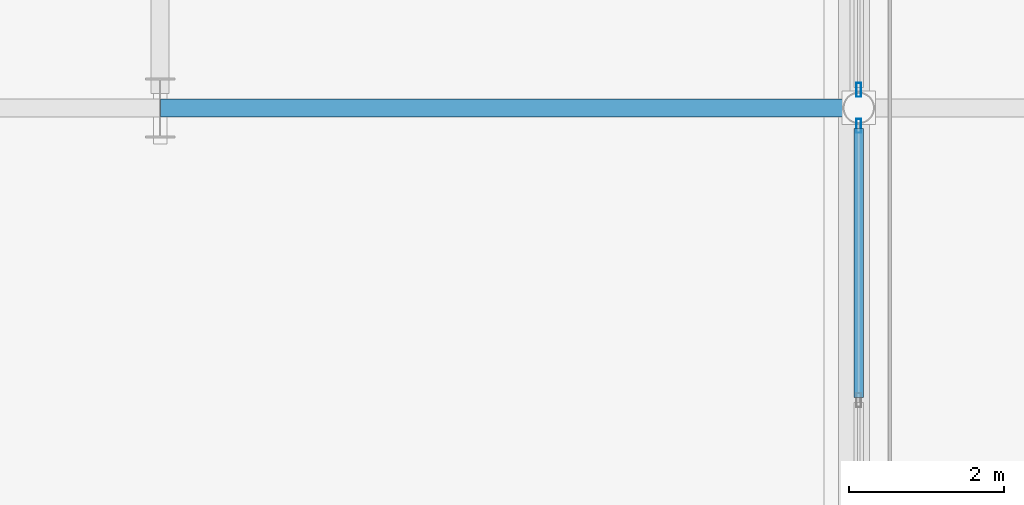
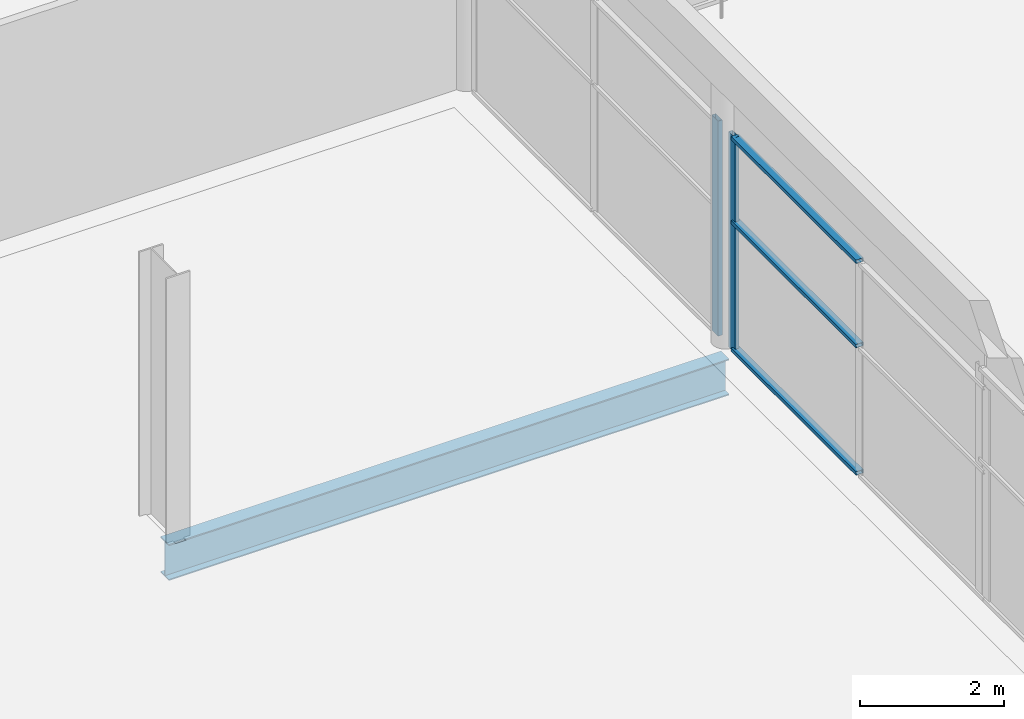
# One storey, part 14 of 52: 5 members, 1 beam, 2 elements without a shape of their own.
"""IFC4 building model written with IfcOpenShell, lengths in metres."""

import ifcopenshell
import ifcopenshell.guid

model = None  # the IFC model being written
_history = None  # IfcOwnerHistory: only IFC2X3 demands one
_inside = {}  # id of a spatial element -> (the spatial element, [elements in it])
_under = {}  # id of a project, library or spatial element -> (it, [spatial elements below it])
_declared = {}  # id of a project -> (the project, [libraries it declares])
_typed = {}  # id of a type object -> (the type object, [elements of that type])
_made_of = {}  # id of a material, layer set ... -> (it, [elements and type objects made of it])


def new_model(schema):
    """Start an empty IFC model of exactly this schema.

    Asked for "IFC4X3", IfcOpenShell would pick the latest addendum, in which some entities
    have other attributes; the version numbers below select the first issue.
    IFC2X3 requires an IfcOwnerHistory on every rooted entity: one is made here for all.
    """
    global model, _history
    if schema == "IFC4X3":
        model = ifcopenshell.file(schema_version=(4, 3, 0, 0))
    else:
        model = ifcopenshell.file(schema=schema)
    _inside.clear()
    _under.clear()
    _declared.clear()
    _typed.clear()
    _made_of.clear()
    _history = None
    if model.schema == "IFC2X3":
        org = make("IfcOrganization", Name="unknown")
        user = make(
            "IfcPersonAndOrganization",
            ThePerson=make("IfcPerson", FamilyName="unknown"),
            TheOrganization=org,
        )
        app = make(
            "IfcApplication",
            ApplicationDeveloper=org,
            Version="unknown",
            ApplicationFullName="unknown",
            ApplicationIdentifier="unknown",
        )
        _history = make(
            "IfcOwnerHistory",
            OwningUser=user,
            OwningApplication=app,
            ChangeAction="ADDED",
            CreationDate=0,
        )
    return model


def make(cls, **values):
    """One entity of the class cls with the attributes given. An attribute that is None is left unset."""
    return model.create_entity(
        cls, **{name: value for name, value in values.items() if value is not None}
    )


def rooted(cls, **values):
    """An entity with a GlobalId (a new one), such as an element, a storey or a relation."""
    return make(cls, GlobalId=ifcopenshell.guid.new(), OwnerHistory=_history, **values)


def si_unit(unit_type, name, prefix=None):
    """IfcSIUnit, for example si_unit("LENGTHUNIT", "METRE", prefix="MILLI")."""
    return make("IfcSIUnit", UnitType=unit_type, Prefix=prefix, Name=name)


def assignment(units):
    """IfcUnitAssignment: the units of a project."""
    return None if units is None else make("IfcUnitAssignment", Units=units)


def point(xyz):
    """IfcCartesianPoint."""
    return None if xyz is None else make("IfcCartesianPoint", Coordinates=xyz)


def direction(xyz):
    """IfcDirection."""
    return None if xyz is None else make("IfcDirection", DirectionRatios=xyz)


def frame(location, z_axis=None, x_axis=None):
    """IfcAxis2Placement3D, a coordinate frame: its origin and axes. An axis left out is left unset."""
    return make(
        "IfcAxis2Placement3D",
        Location=point(location),
        Axis=direction(z_axis),
        RefDirection=direction(x_axis),
    )


def frame_2d(location, x_axis=None):
    """IfcAxis2Placement2D, a coordinate frame in the plane: its origin and x axis."""
    return make(
        "IfcAxis2Placement2D", Location=point(location), RefDirection=direction(x_axis)
    )


def origin():
    """The frame at (0, 0, 0) with its axes left unset."""
    return frame((0.0, 0.0, 0.0))


def origin_2d():
    """The frame at (0, 0) in the plane with its x axis left unset."""
    return frame_2d((0.0, 0.0))


def place(relative_to, where):
    """IfcLocalPlacement: puts the frame where relative to a parent placement (None: the world)."""
    return make(
        "IfcLocalPlacement", PlacementRelTo=relative_to, RelativePlacement=where
    )


def context(
    kind, dimensions, precision=None, world=None, true_north=None, identifier=None
):
    """IfcGeometricRepresentationContext, for example the 3D "Model" context."""
    return make(
        "IfcGeometricRepresentationContext",
        ContextIdentifier=identifier,
        ContextType=kind,
        CoordinateSpaceDimension=dimensions,
        Precision=precision,
        WorldCoordinateSystem=world,
        TrueNorth=true_north,
    )


def subcontext(parent, identifier, kind, view, scale=None):
    """IfcGeometricRepresentationSubContext, for example "Body" below "Model"."""
    return make(
        "IfcGeometricRepresentationSubContext",
        ContextIdentifier=identifier,
        ContextType=kind,
        ParentContext=parent,
        TargetScale=scale,
        TargetView=view,
    )


def project(units=None, contexts=None):
    """IfcProject with its units and contexts."""
    return rooted(
        "IfcProject",
        Name="project",
        RepresentationContexts=contexts,
        UnitsInContext=assignment(units),
    )


def spatial(cls, under=None, at=None, **own):
    """A site, building, storey or space (cls), placed at a placement, below another one or the project."""
    s = rooted(cls, ObjectPlacement=at, **own)
    if under is not None:
        _under.setdefault(under.id(), (under, []))[1].append(s)
    return s


def profile(cls, at=None, kind="AREA", **sizes):
    """A parametric profile (cls). Its sizes go by their IFC names, for example OverallWidth=200.0."""
    return make(cls, ProfileType=kind, Position=at, **sizes)


def hollow_rectangle(**sizes):
    """IfcRectangleHollowProfileDef."""
    return profile("IfcRectangleHollowProfileDef", **sizes)


def i_section(**sizes):
    """IfcIShapeProfileDef."""
    return profile("IfcIShapeProfileDef", **sizes)


def extrude(swept, where, along, depth):
    """IfcExtrudedAreaSolid: the profile swept, set in the frame where, extruded along a direction by depth."""
    return make(
        "IfcExtrudedAreaSolid",
        SweptArea=swept,
        Position=where,
        ExtrudedDirection=direction(along),
        Depth=depth,
    )


def shape(context_of_items, identifier, shape_type, items):
    """IfcShapeRepresentation: the items that make up one representation, for example the "Body"."""
    return make(
        "IfcShapeRepresentation",
        ContextOfItems=context_of_items,
        RepresentationIdentifier=identifier,
        RepresentationType=shape_type,
        Items=items,
    )


def material(Name=None, Category=None):
    """IfcMaterial."""
    return make("IfcMaterial", Name=Name, Category=Category)


def layer(
    of_material, thickness, ventilated=None, Name=None, Category=None, Priority=None
):
    """IfcMaterialLayer: one layer of a wall or slab, of a material (None: an air gap)."""
    return make(
        "IfcMaterialLayer",
        Material=of_material,
        LayerThickness=thickness,
        IsVentilated=ventilated,
        Name=Name,
        Category=Category,
        Priority=Priority,
    )


def layer_set(layers, Name=None):
    """IfcMaterialLayerSet."""
    return make("IfcMaterialLayerSet", MaterialLayers=layers, LayerSetName=Name)


def material_profile(
    of_material, cross_section, Name=None, Category=None, Priority=None
):
    """IfcMaterialProfile: a cross section and its material."""
    return make(
        "IfcMaterialProfile",
        Name=Name,
        Material=of_material,
        Profile=cross_section,
        Priority=Priority,
        Category=Category,
    )


def profile_set(profiles, Name=None, composite=None):
    """IfcMaterialProfileSet."""
    return make(
        "IfcMaterialProfileSet",
        Name=Name,
        MaterialProfiles=profiles,
        CompositeProfile=composite,
    )


def made_of(thing, what):
    """Note that an element or type object is made of a material, layer set ...; save() writes the relation."""
    if what is not None:
        _made_of.setdefault(what.id(), (what, []))[1].append(thing)
    return thing


def type_object(cls, material=None, **own):
    """A type object (cls), such as IfcWallType, which elements share."""
    return made_of(rooted(cls, **own), material)


def element(
    cls,
    number,
    at=None,
    inside=None,
    cuts=None,
    type_object=None,
    material=None,
    context=None,
    identifier="Body",
    shape_type=None,
    held_by="IfcProductDefinitionShape",
    body=None,
    shapes=None,
    **own,
):
    """One element of the class cls, such as IfcWall. Its Tag is "e" and its number.

    at: its placement. inside: the storey or other place that contains it. cuts: it is an
    opening in that element (IfcRelVoidsElement). A single representation is given by context,
    identifier, shape_type and body (its items); several are given by shapes. held_by: the class
    of the entity that holds the representations. save() writes the other relations.
    """
    e = rooted(cls, Tag="e%d" % number, ObjectPlacement=at, **own)
    if body is not None:
        shapes = [shape(context, identifier, shape_type, body)]
    if shapes is not None:
        e.Representation = make(held_by, Representations=shapes)
    if inside is not None:
        _inside.setdefault(inside.id(), (inside, []))[1].append(e)
    if cuts is not None:
        rooted(
            "IfcRelVoidsElement", RelatingBuildingElement=cuts, RelatedOpeningElement=e
        )
    if type_object is not None:
        _typed.setdefault(type_object.id(), (type_object, []))[1].append(e)
    return made_of(e, material)


def aggregate(whole, parts):
    """IfcRelAggregates: a whole, such as a stair, and the parts it consists of."""
    return rooted("IfcRelAggregates", RelatingObject=whole, RelatedObjects=parts)


def save(model, path):
    """Write the relations noted so far, then the file.

    IfcRelAggregates (storeys below a building ...), IfcRelContainedInSpatialStructure (elements
    in a storey), IfcRelDefinesByType, IfcRelAssociatesMaterial and IfcRelDeclares: one each for
    every whole, place, type object, material and project.
    """
    for whole, parts in _under.values():
        aggregate(whole, parts)
    for where, things in _inside.values():
        rooted(
            "IfcRelContainedInSpatialStructure",
            RelatedElements=things,
            RelatingStructure=where,
        )
    for kind, things in _typed.values():
        rooted("IfcRelDefinesByType", RelatedObjects=things, RelatingType=kind)
    for what, things in _made_of.values():
        rooted("IfcRelAssociatesMaterial", RelatedObjects=things, RelatingMaterial=what)
    for by, libraries in _declared.values():
        rooted("IfcRelDeclares", RelatingContext=by, RelatedDefinitions=libraries)
    model.write(path)


model = new_model("IFC4")

# Units and contexts
model_context = context("Model", 3, precision=1e-05, world=origin(), true_north=direction((0.0, 1.0)))
body_context = subcontext(model_context, "Body", "Model", "MODEL_VIEW")
ifc_project = project(units=[si_unit("LENGTHUNIT", "METRE"), si_unit("AREAUNIT", "SQUARE_METRE"), si_unit("VOLUMEUNIT", "CUBIC_METRE"), si_unit("PLANEANGLEUNIT", "RADIAN"), si_unit("MASSUNIT", "GRAM", prefix="KILO")], contexts=[model_context])

# Site, building, storey
site_placement = place(None, origin())
site = spatial("IfcSite", under=ifc_project, at=site_placement, CompositionType="ELEMENT")
building_placement = place(site_placement, origin())
building = spatial("IfcBuilding", under=site, at=building_placement, Name="Celestram Park Convention Centre", CompositionType="ELEMENT")
storey_placement = place(building_placement, frame((0.0, 0.0, 24.300048828125)))
storey = spatial("IfcBuildingStorey", under=building, at=storey_placement, Name="L05", CompositionType="ELEMENT", Elevation=24.300048828125)

# Curtain wall, member
ifc_material_1 = material(Name="Anodised Aluminium Alloy 6063-T6", Category="aluminium")
ifc_layer_1 = layer(ifc_material_1, 0.179931640625)
ifc_layer_set_1 = layer_set([ifc_layer_1], Name="Anodised Aluminium Alloy 6063-T6")
curtain_wall_type_1 = type_object("IfcCurtainWallType", Name="ARC-CW-680X365", PredefinedType="NOTDEFINED", material=ifc_layer_set_1)
curtain_wall_1_placement = place(storey_placement, origin())
curtain_wall_1 = element("IfcCurtainWall", 1, at=curtain_wall_1_placement, inside=storey, type_object=curtain_wall_type_1, Name="Unitised curtain wall CU-L05-257", PredefinedType="NOTDEFINED")
ifc_material_profile_1 = material_profile(ifc_material_1, hollow_rectangle(XDim=0.06494140625, YDim=0.179931640625, WallThickness=0.00390625, at=origin_2d()), Name="ALU65X180X4")
ifc_profile_set_1 = profile_set([ifc_material_profile_1], Name="Anodised Aluminium Alloy 6063-T6")
member_type_1 = type_object("IfcMemberType", Name="ARC-CWM-150", PredefinedType="MULLION", material=ifc_profile_set_1)
member_1_placement = place(storey_placement, frame((72.0, 122.631591796875, 0.0), z_axis=(0.0, 0.0, 1.0), x_axis=(1.0, 0.0, 0.0)))
member_1 = element("IfcMember", 2, at=member_1_placement, type_object=member_type_1, Name="CW-68X36 mullion 3", PredefinedType="MULLION", context=body_context, shape_type="SweptSolid", body=[
    extrude(hollow_rectangle(XDim=0.06494140625, YDim=0.179931640625, WallThickness=0.00390625, at=origin_2d()), origin(), (0.0, 0.0, 1.0), 3.64794921875),
])
aggregate(curtain_wall_1, [member_1])

# Curtain wall, members
ifc_layer_2 = layer(ifc_material_1, 0.179931640625)
ifc_layer_set_2 = layer_set([ifc_layer_2], Name="Anodised Aluminium Alloy 6063-T6")
curtain_wall_type_2 = type_object("IfcCurtainWallType", Name="ARC-CW-713X365", PredefinedType="NOTDEFINED", material=ifc_layer_set_2)
curtain_wall_2_placement = place(storey_placement, origin())
curtain_wall_2 = element("IfcCurtainWall", 3, at=curtain_wall_2_placement, inside=storey, type_object=curtain_wall_type_2, Name="Unitised curtain wall CU-L05-258", PredefinedType="NOTDEFINED")
member_2_placement = place(storey_placement, frame((72.0, 122.16845703125, 0.0), z_axis=(0.0, 0.0, 1.0), x_axis=(1.0, 0.0, 0.0)))
member_2 = element("IfcMember", 4, at=member_2_placement, type_object=member_type_1, Name="CW-71X36 mullion 1", PredefinedType="MULLION", context=body_context, shape_type="SweptSolid", body=[
    extrude(hollow_rectangle(XDim=0.06494140625, YDim=0.179931640625, WallThickness=0.00390625, at=origin_2d()), origin(), (0.0, 0.0, 1.0), 3.64794921875),
])
ifc_material_profile_2 = material_profile(ifc_material_1, hollow_rectangle(XDim=0.1201171875, YDim=0.06005859375, WallThickness=0.0029296875, at=origin_2d()), Name="ALU120X60X3")
ifc_profile_set_2 = profile_set([ifc_material_profile_2], Name="Anodised Aluminium Alloy 6063-T6")
member_type_2 = type_object("IfcMemberType", Name="ARC-CWT-120", PredefinedType="USERDEFINED", material=ifc_profile_set_2)
member_3_placement = place(storey_placement, frame((72.0, 122.135986328125, 0.030029296875), z_axis=(0.0, -1.0, 0.0), x_axis=(1.0, 0.0, 0.0)))
member_3 = element("IfcMember", 5, at=member_3_placement, type_object=member_type_2, Name="CW-71X36 transom 1.1", ObjectType="TRANSOM", PredefinedType="USERDEFINED", context=body_context, shape_type="SweptSolid", body=[
    extrude(hollow_rectangle(XDim=0.1201171875, YDim=0.06005859375, WallThickness=0.0029296875, at=origin_2d()), origin(), (0.0, 0.0, 1.0), 3.468017578125),
])
member_4_placement = place(storey_placement, frame((72.0, 122.135986328125, 2.18896484375), z_axis=(0.0, -1.0, 0.0), x_axis=(1.0, 0.0, 0.0)))
member_4 = element("IfcMember", 6, at=member_4_placement, type_object=member_type_2, Name="CW-71X36 transom 1.2", ObjectType="TRANSOM", PredefinedType="USERDEFINED", context=body_context, shape_type="SweptSolid", body=[
    extrude(hollow_rectangle(XDim=0.1201171875, YDim=0.06005859375, WallThickness=0.0029296875, at=origin_2d()), origin(), (0.0, 0.0, 1.0), 3.468017578125),
])
member_5_placement = place(storey_placement, frame((72.0, 122.135986328125, 3.617919921875), z_axis=(0.0, -1.0, 0.0), x_axis=(1.0, 0.0, 0.0)))
member_5 = element("IfcMember", 7, at=member_5_placement, type_object=member_type_2, Name="CW-71X36 transom 1.3", ObjectType="TRANSOM", PredefinedType="USERDEFINED", context=body_context, shape_type="SweptSolid", body=[
    extrude(hollow_rectangle(XDim=0.1201171875, YDim=0.06005859375, WallThickness=0.0029296875, at=origin_2d()), origin(), (0.0, 0.0, 1.0), 3.468017578125),
])
aggregate(curtain_wall_2, [member_2, member_3, member_4, member_5])

# Beam
ifc_material_2 = material(Name="Steel ASTM A992 Grade 50", Category="steel")
ifc_material_profile_3 = material_profile(ifc_material_2, i_section(OverallWidth=0.22900390625, OverallDepth=0.612060546875, WebThickness=0.011962890625, FlangeThickness=0.01953125, at=origin_2d()), Name="W24X84")
ifc_profile_set_3 = profile_set([ifc_material_profile_3], Name="Steel ASTM A992 Grade 50")
beam_type = type_object("IfcBeamType", Name="STR-BM-W24X84", PredefinedType="BEAM", material=ifc_profile_set_3)
beam_placement = place(storey_placement, frame((63.006103515625, 122.39990234375, -0.546142578125), z_axis=(1.0, 0.0, 0.0), x_axis=(0.0, 1.0, 0.0)))
element("IfcBeam", 8, at=beam_placement, inside=storey, type_object=beam_type, Name="Primary X-girder BG-L05-0046", PredefinedType="BEAM", context=body_context, shape_type="SweptSolid", body=[
    extrude(i_section(OverallWidth=0.22900390625, OverallDepth=0.612060546875, WebThickness=0.011962890625, FlangeThickness=0.01953125, at=origin_2d()), origin(), (0.0, 0.0, 1.0), 8.989013671875),
])

save(model, "model.ifc")
